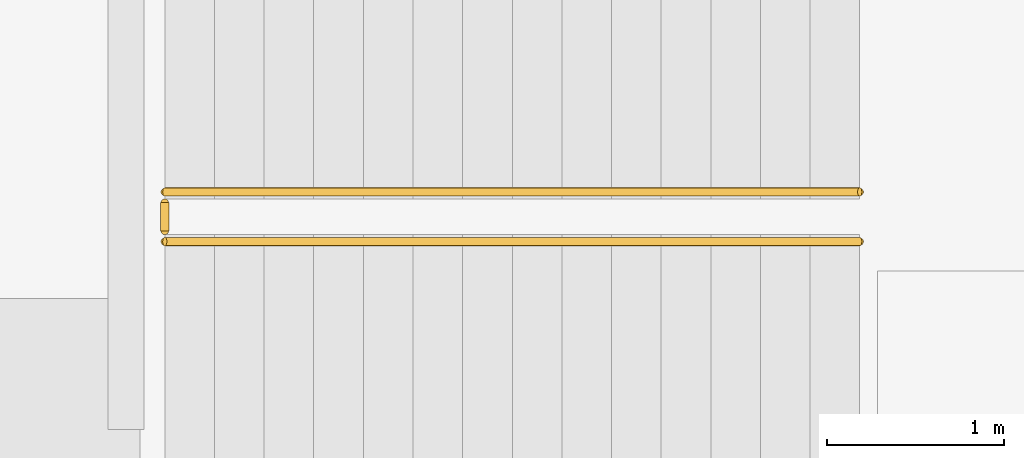
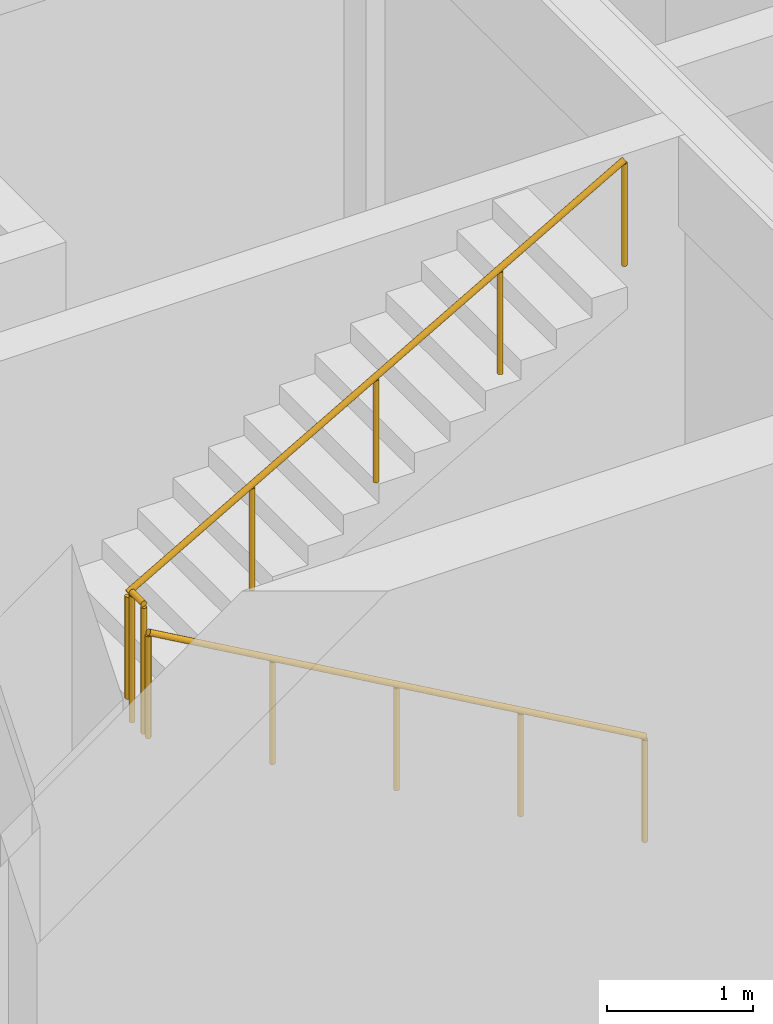
# One storey, part 29 of 35: 3 railings.
"""IFC4 building model written with IfcOpenShell, lengths in metres."""

from ifc_helpers import new_model, si_unit, direction, frame, origin, origin_2d, place, context, subcontext, project, spatial, circle, extrude, material, type_object, element, save


model = new_model("IFC4")

# Units and contexts
model_context = context("Model", 3, precision=1e-05, world=origin(), true_north=direction((0.0, 1.0)))
body_context = subcontext(model_context, "Body", "Model", "MODEL_VIEW")
ifc_project = project(units=[si_unit("LENGTHUNIT", "METRE"), si_unit("AREAUNIT", "SQUARE_METRE"), si_unit("VOLUMEUNIT", "CUBIC_METRE"), si_unit("PLANEANGLEUNIT", "RADIAN"), si_unit("MASSUNIT", "GRAM", prefix="KILO")], contexts=[model_context])

# Site, building, storey
site_placement = place(None, origin())
site = spatial("IfcSite", under=ifc_project, at=site_placement, CompositionType="ELEMENT")
building_placement = place(site_placement, origin())
building = spatial("IfcBuilding", under=site, at=building_placement, Name="Cinchona Park Media Centre", CompositionType="ELEMENT")
storey_placement = place(building_placement, frame((0.0, 0.0, -4.800048828125)))
storey = spatial("IfcBuildingStorey", under=building, at=storey_placement, Name="B1", CompositionType="ELEMENT", Elevation=-4.800048828125)

# Railings
ifc_material_1 = material(Name="Painted Steel Stairwell Guardrail", Category="steel")
railing_type_1 = type_object("IfcRailingType", Name="RAILING-GR02", PredefinedType="GUARDRAIL", material=ifc_material_1)
railing_1_placement = place(storey_placement, frame((9.97998046875, 9.320068359375, 2.400146484375)))
element("IfcRailing", 1, at=railing_1_placement, inside=storey, type_object=railing_type_1, Name="Half-Landing Guardrail GR02 ST6 B1", PredefinedType="GUARDRAIL", context=body_context, shape_type="SweptSolid", body=[
    extrude(circle(Radius=0.02392578125, at=origin_2d()), frame((0.0, 0.0, 1.076171875), z_axis=(0.0, 1.0, 0.0), x_axis=(-1.0, 0.0, 0.0)), (0.0, 0.0, 1.0), 0.159912109375),
    extrude(circle(Radius=0.02099609375, at=origin_2d()), origin(), (0.0, 0.0, 1.0), 1.052001953125),
    extrude(circle(Radius=0.02099609375, at=origin_2d()), frame((0.0, 0.159912109375, 0.0)), (0.0, 0.0, 1.0), 1.052001953125),
])
ifc_material_2 = material(Name="Brushed Stainless Steel Handrail", Category="steel")
railing_type_2 = type_object("IfcRailingType", Name="RAILING-HR01", PredefinedType="HANDRAIL", material=ifc_material_2)
railing_2_placement = place(storey_placement, frame((13.89990234375, 9.260009765625, 0.16015625)))
element("IfcRailing", 2, at=railing_2_placement, inside=storey, type_object=railing_type_2, Name="Stair Handrail HR01 ST6 B1 F1", PredefinedType="HANDRAIL", context=body_context, shape_type="SweptSolid", body=[
    extrude(circle(Radius=0.02392578125, at=origin_2d()), frame((0.0, 0.0, 0.8759765625), z_axis=(-0.868239814368, 0.0, 0.496144761885), x_axis=(0.0, -1.0, 0.0)), (0.0, 0.0, 1.0), 4.514892578125),
    extrude(circle(Radius=0.02099609375, at=origin_2d()), origin(), (0.0, 0.0, 1.0), 0.851806640625),
    extrude(circle(Radius=0.02099609375, at=origin_2d()), frame((-0.97998046875, 0.0, 0.56005859375)), (0.0, 0.0, 1.0), 0.851806640625),
    extrude(circle(Radius=0.02099609375, at=origin_2d()), frame((-1.9599609375, 0.0, 1.1201171875)), (0.0, 0.0, 1.0), 0.851806640625),
    extrude(circle(Radius=0.02099609375, at=origin_2d()), frame((-2.93994140625, 0.0, 1.679931640625)), (0.0, 0.0, 1.0), 0.851806640625),
    extrude(circle(Radius=0.02099609375, at=origin_2d()), frame((-3.919921875, 0.0, 2.239990234375)), (0.0, 0.0, 1.0), 0.851806640625),
])
railing_3_placement = place(storey_placement, frame((9.97998046875, 9.5400390625, 2.56005859375)))
element("IfcRailing", 3, at=railing_3_placement, inside=storey, type_object=railing_type_2, Name="Stair Handrail HR01 ST6 B1 F2", PredefinedType="HANDRAIL", context=body_context, shape_type="SweptSolid", body=[
    extrude(circle(Radius=0.02392578125, at=origin_2d()), frame((0.0, 0.0, 0.8759765625), z_axis=(0.868239814368, 0.0, 0.496144761885), x_axis=(0.0, 1.0, 0.0)), (0.0, 0.0, 1.0), 4.514892578125),
    extrude(circle(Radius=0.02099609375, at=origin_2d()), origin(), (0.0, 0.0, 1.0), 0.851806640625),
    extrude(circle(Radius=0.02099609375, at=origin_2d()), frame((0.97998046875, 0.0, 0.56005859375)), (0.0, 0.0, 1.0), 0.851806640625),
    extrude(circle(Radius=0.02099609375, at=origin_2d()), frame((1.9599609375, 0.0, 1.1201171875)), (0.0, 0.0, 1.0), 0.851806640625),
    extrude(circle(Radius=0.02099609375, at=origin_2d()), frame((2.93994140625, 0.0, 1.679931640625)), (0.0, 0.0, 1.0), 0.851806640625),
    extrude(circle(Radius=0.02099609375, at=origin_2d()), frame((3.919921875, 0.0, 2.239990234375)), (0.0, 0.0, 1.0), 0.851806640625),
])

save(model, "model.ifc")
